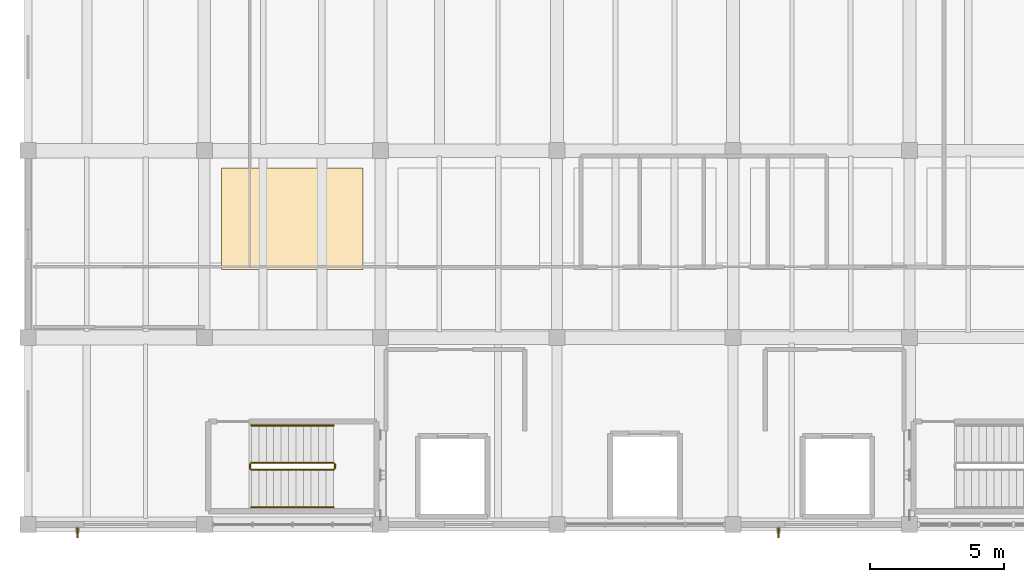
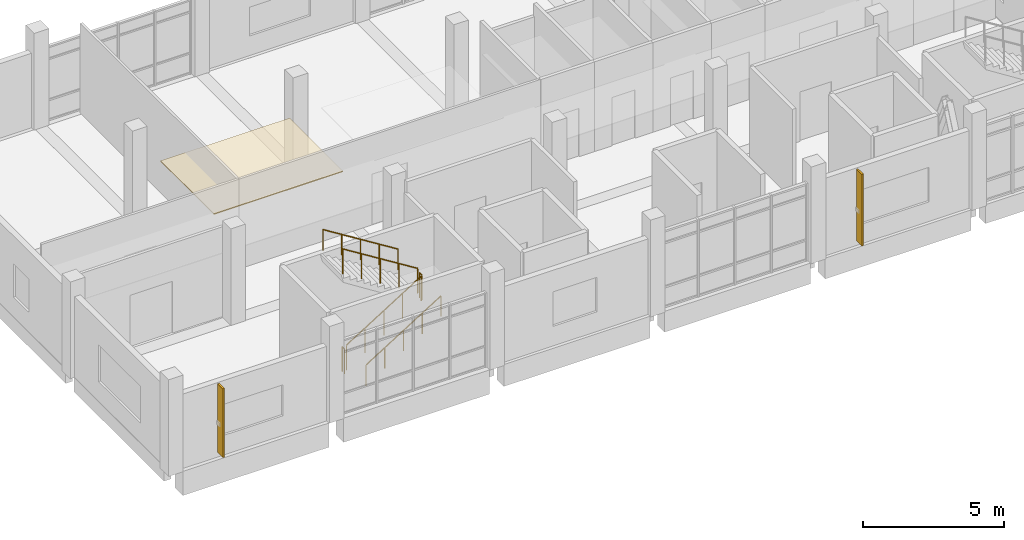
# One storey, part 12 of 14: 6 railings, 2 shading devices, 1 covering.
"""IFC4 building model written with IfcOpenShell, lengths in metres."""

import ifcopenshell
import ifcopenshell.guid

model = None  # the IFC model being written
_history = None  # IfcOwnerHistory: only IFC2X3 demands one
_inside = {}  # id of a spatial element -> (the spatial element, [elements in it])
_under = {}  # id of a project, library or spatial element -> (it, [spatial elements below it])
_declared = {}  # id of a project -> (the project, [libraries it declares])
_typed = {}  # id of a type object -> (the type object, [elements of that type])
_made_of = {}  # id of a material, layer set ... -> (it, [elements and type objects made of it])


def new_model(schema):
    """Start an empty IFC model of exactly this schema.

    Asked for "IFC4X3", IfcOpenShell would pick the latest addendum, in which some entities
    have other attributes; the version numbers below select the first issue.
    IFC2X3 requires an IfcOwnerHistory on every rooted entity: one is made here for all.
    """
    global model, _history
    if schema == "IFC4X3":
        model = ifcopenshell.file(schema_version=(4, 3, 0, 0))
    else:
        model = ifcopenshell.file(schema=schema)
    _inside.clear()
    _under.clear()
    _declared.clear()
    _typed.clear()
    _made_of.clear()
    _history = None
    if model.schema == "IFC2X3":
        org = make("IfcOrganization", Name="unknown")
        user = make(
            "IfcPersonAndOrganization",
            ThePerson=make("IfcPerson", FamilyName="unknown"),
            TheOrganization=org,
        )
        app = make(
            "IfcApplication",
            ApplicationDeveloper=org,
            Version="unknown",
            ApplicationFullName="unknown",
            ApplicationIdentifier="unknown",
        )
        _history = make(
            "IfcOwnerHistory",
            OwningUser=user,
            OwningApplication=app,
            ChangeAction="ADDED",
            CreationDate=0,
        )
    return model


def make(cls, **values):
    """One entity of the class cls with the attributes given. An attribute that is None is left unset."""
    return model.create_entity(
        cls, **{name: value for name, value in values.items() if value is not None}
    )


def rooted(cls, **values):
    """An entity with a GlobalId (a new one), such as an element, a storey or a relation."""
    return make(cls, GlobalId=ifcopenshell.guid.new(), OwnerHistory=_history, **values)


def si_unit(unit_type, name, prefix=None):
    """IfcSIUnit, for example si_unit("LENGTHUNIT", "METRE", prefix="MILLI")."""
    return make("IfcSIUnit", UnitType=unit_type, Prefix=prefix, Name=name)


def assignment(units):
    """IfcUnitAssignment: the units of a project."""
    return None if units is None else make("IfcUnitAssignment", Units=units)


def point(xyz):
    """IfcCartesianPoint."""
    return None if xyz is None else make("IfcCartesianPoint", Coordinates=xyz)


def direction(xyz):
    """IfcDirection."""
    return None if xyz is None else make("IfcDirection", DirectionRatios=xyz)


def frame(location, z_axis=None, x_axis=None):
    """IfcAxis2Placement3D, a coordinate frame: its origin and axes. An axis left out is left unset."""
    return make(
        "IfcAxis2Placement3D",
        Location=point(location),
        Axis=direction(z_axis),
        RefDirection=direction(x_axis),
    )


def frame_2d(location, x_axis=None):
    """IfcAxis2Placement2D, a coordinate frame in the plane: its origin and x axis."""
    return make(
        "IfcAxis2Placement2D", Location=point(location), RefDirection=direction(x_axis)
    )


def origin():
    """The frame at (0, 0, 0) with its axes left unset."""
    return frame((0.0, 0.0, 0.0))


def origin_2d():
    """The frame at (0, 0) in the plane with its x axis left unset."""
    return frame_2d((0.0, 0.0))


def place(relative_to, where):
    """IfcLocalPlacement: puts the frame where relative to a parent placement (None: the world)."""
    return make(
        "IfcLocalPlacement", PlacementRelTo=relative_to, RelativePlacement=where
    )


def context(
    kind, dimensions, precision=None, world=None, true_north=None, identifier=None
):
    """IfcGeometricRepresentationContext, for example the 3D "Model" context."""
    return make(
        "IfcGeometricRepresentationContext",
        ContextIdentifier=identifier,
        ContextType=kind,
        CoordinateSpaceDimension=dimensions,
        Precision=precision,
        WorldCoordinateSystem=world,
        TrueNorth=true_north,
    )


def subcontext(parent, identifier, kind, view, scale=None):
    """IfcGeometricRepresentationSubContext, for example "Body" below "Model"."""
    return make(
        "IfcGeometricRepresentationSubContext",
        ContextIdentifier=identifier,
        ContextType=kind,
        ParentContext=parent,
        TargetScale=scale,
        TargetView=view,
    )


def project(units=None, contexts=None):
    """IfcProject with its units and contexts."""
    return rooted(
        "IfcProject",
        Name="project",
        RepresentationContexts=contexts,
        UnitsInContext=assignment(units),
    )


def spatial(cls, under=None, at=None, **own):
    """A site, building, storey or space (cls), placed at a placement, below another one or the project."""
    s = rooted(cls, ObjectPlacement=at, **own)
    if under is not None:
        _under.setdefault(under.id(), (under, []))[1].append(s)
    return s


def polyline(points):
    """IfcPolyline through the points."""
    return make("IfcPolyline", Points=[point(p) for p in points])


def profile(cls, at=None, kind="AREA", **sizes):
    """A parametric profile (cls). Its sizes go by their IFC names, for example OverallWidth=200.0."""
    return make(cls, ProfileType=kind, Position=at, **sizes)


def rectangle(**sizes):
    """IfcRectangleProfileDef."""
    return profile("IfcRectangleProfileDef", **sizes)


def circle(**sizes):
    """IfcCircleProfileDef."""
    return profile("IfcCircleProfileDef", **sizes)


def outline(outer, holes=None, kind="AREA"):
    """IfcArbitraryClosedProfileDef: a profile drawn as a closed curve; with holes, ...WithVoids."""
    if holes is None:
        return make("IfcArbitraryClosedProfileDef", ProfileType=kind, OuterCurve=outer)
    return make(
        "IfcArbitraryProfileDefWithVoids",
        ProfileType=kind,
        OuterCurve=outer,
        InnerCurves=holes,
    )


def extrude(swept, where, along, depth):
    """IfcExtrudedAreaSolid: the profile swept, set in the frame where, extruded along a direction by depth."""
    return make(
        "IfcExtrudedAreaSolid",
        SweptArea=swept,
        Position=where,
        ExtrudedDirection=direction(along),
        Depth=depth,
    )


def shape(context_of_items, identifier, shape_type, items):
    """IfcShapeRepresentation: the items that make up one representation, for example the "Body"."""
    return make(
        "IfcShapeRepresentation",
        ContextOfItems=context_of_items,
        RepresentationIdentifier=identifier,
        RepresentationType=shape_type,
        Items=items,
    )


def material(Name=None, Category=None):
    """IfcMaterial."""
    return make("IfcMaterial", Name=Name, Category=Category)


def layer(
    of_material, thickness, ventilated=None, Name=None, Category=None, Priority=None
):
    """IfcMaterialLayer: one layer of a wall or slab, of a material (None: an air gap)."""
    return make(
        "IfcMaterialLayer",
        Material=of_material,
        LayerThickness=thickness,
        IsVentilated=ventilated,
        Name=Name,
        Category=Category,
        Priority=Priority,
    )


def layer_set(layers, Name=None):
    """IfcMaterialLayerSet."""
    return make("IfcMaterialLayerSet", MaterialLayers=layers, LayerSetName=Name)


def material_profile(
    of_material, cross_section, Name=None, Category=None, Priority=None
):
    """IfcMaterialProfile: a cross section and its material."""
    return make(
        "IfcMaterialProfile",
        Name=Name,
        Material=of_material,
        Profile=cross_section,
        Priority=Priority,
        Category=Category,
    )


def profile_set(profiles, Name=None, composite=None):
    """IfcMaterialProfileSet."""
    return make(
        "IfcMaterialProfileSet",
        Name=Name,
        MaterialProfiles=profiles,
        CompositeProfile=composite,
    )


def made_of(thing, what):
    """Note that an element or type object is made of a material, layer set ...; save() writes the relation."""
    if what is not None:
        _made_of.setdefault(what.id(), (what, []))[1].append(thing)
    return thing


def type_object(cls, material=None, **own):
    """A type object (cls), such as IfcWallType, which elements share."""
    return made_of(rooted(cls, **own), material)


def element(
    cls,
    number,
    at=None,
    inside=None,
    cuts=None,
    type_object=None,
    material=None,
    context=None,
    identifier="Body",
    shape_type=None,
    held_by="IfcProductDefinitionShape",
    body=None,
    shapes=None,
    **own,
):
    """One element of the class cls, such as IfcWall. Its Tag is "e" and its number.

    at: its placement. inside: the storey or other place that contains it. cuts: it is an
    opening in that element (IfcRelVoidsElement). A single representation is given by context,
    identifier, shape_type and body (its items); several are given by shapes. held_by: the class
    of the entity that holds the representations. save() writes the other relations.
    """
    e = rooted(cls, Tag="e%d" % number, ObjectPlacement=at, **own)
    if body is not None:
        shapes = [shape(context, identifier, shape_type, body)]
    if shapes is not None:
        e.Representation = make(held_by, Representations=shapes)
    if inside is not None:
        _inside.setdefault(inside.id(), (inside, []))[1].append(e)
    if cuts is not None:
        rooted(
            "IfcRelVoidsElement", RelatingBuildingElement=cuts, RelatedOpeningElement=e
        )
    if type_object is not None:
        _typed.setdefault(type_object.id(), (type_object, []))[1].append(e)
    return made_of(e, material)


def aggregate(whole, parts):
    """IfcRelAggregates: a whole, such as a stair, and the parts it consists of."""
    return rooted("IfcRelAggregates", RelatingObject=whole, RelatedObjects=parts)


def save(model, path):
    """Write the relations noted so far, then the file.

    IfcRelAggregates (storeys below a building ...), IfcRelContainedInSpatialStructure (elements
    in a storey), IfcRelDefinesByType, IfcRelAssociatesMaterial and IfcRelDeclares: one each for
    every whole, place, type object, material and project.
    """
    for whole, parts in _under.values():
        aggregate(whole, parts)
    for where, things in _inside.values():
        rooted(
            "IfcRelContainedInSpatialStructure",
            RelatedElements=things,
            RelatingStructure=where,
        )
    for kind, things in _typed.values():
        rooted("IfcRelDefinesByType", RelatedObjects=things, RelatingType=kind)
    for what, things in _made_of.values():
        rooted("IfcRelAssociatesMaterial", RelatedObjects=things, RelatingMaterial=what)
    for by, libraries in _declared.values():
        rooted("IfcRelDeclares", RelatingContext=by, RelatedDefinitions=libraries)
    model.write(path)


model = new_model("IFC4")

# Units and contexts
model_context = context("Model", 3, precision=1e-05, world=origin(), true_north=direction((0.0, 1.0)))
body_context = subcontext(model_context, "Body", "Model", "MODEL_VIEW")
ifc_project = project(units=[si_unit("LENGTHUNIT", "METRE"), si_unit("AREAUNIT", "SQUARE_METRE"), si_unit("VOLUMEUNIT", "CUBIC_METRE"), si_unit("PLANEANGLEUNIT", "RADIAN"), si_unit("MASSUNIT", "GRAM", prefix="KILO")], contexts=[model_context])

# Site, building, storey
site_placement = place(None, origin())
site = spatial("IfcSite", under=ifc_project, at=site_placement, CompositionType="ELEMENT")
building_placement = place(site_placement, origin())
building = spatial("IfcBuilding", under=site, at=building_placement, Name="Ciguamira Faculty of Natural Sciences", CompositionType="ELEMENT")
storey_placement = place(building_placement, frame((0.0, 0.0, 33.60009765625)))
storey = spatial("IfcBuildingStorey", under=building, at=storey_placement, Name="L08", CompositionType="ELEMENT", Elevation=33.60009765625)

# Covering
ifc_material_1 = material(Name="Perforated white acoustic ceiling")
ifc_layer = layer(ifc_material_1, 0.0400390625, Name="Perforated white acoustic ceiling")
ifc_layer_set = layer_set([ifc_layer], Name="Perforated white acoustic ceiling")
covering_type = type_object("IfcCoveringType", Name="AcousticCeiling_AC01", PredefinedType="CEILING", material=ifc_layer_set)
covering_placement = place(storey_placement, frame((0.0, 0.0, 2.760009765625)))
element("IfcCovering", 1, at=covering_placement, inside=storey, type_object=covering_type, Name="L08 research bay 01 acoustic ceiling", PredefinedType="CEILING", context=body_context, shape_type="SweptSolid", body=[
    extrude(outline(polyline([(71.14990234375, 103.550048828125), (76.449951171875, 103.550048828125), (76.449951171875, 107.35009765625), (71.14990234375, 107.35009765625), (71.14990234375, 103.550048828125)])), origin(), (0.0, 0.0, 1.0), 0.039794921875),
])

# Railings
ifc_material_2 = material(Name="Stainless steel balustrade", Category="steel")
railing_type_1 = type_object("IfcRailingType", Name="Guardrail_GR01", PredefinedType="GUARDRAIL", material=ifc_material_2)
railing_1_placement = place(storey_placement, frame((72.260009765625, 96.050048828125, 0.1748046875)))
element("IfcRailing", 2, at=railing_1_placement, inside=storey, type_object=railing_type_1, Name="L08 ST-T1 stair guard 1", PredefinedType="GUARDRAIL", context=body_context, shape_type="SweptSolid", body=[
    extrude(circle(Radius=0.02392578125, at=origin_2d()), frame((0.0, 0.0, 1.076171875), z_axis=(0.847998304005, 0.0, 0.529998940003), x_axis=(0.0, 1.0, 0.0)), (0.0, 0.0, 1.0), 3.632080078125),
    extrude(circle(Radius=0.02099609375, at=origin_2d()), origin(), (0.0, 0.0, 1.0), 1.052001953125),
    extrude(circle(Radius=0.02099609375, at=origin_2d()), frame((0.77001953125, 0.0, 0.481201171875)), (0.0, 0.0, 1.0), 1.052001953125),
    extrude(circle(Radius=0.02099609375, at=origin_2d()), frame((1.5400390625, 0.0, 0.96240234375)), (0.0, 0.0, 1.0), 1.052001953125),
    extrude(circle(Radius=0.02099609375, at=origin_2d()), frame((2.31005859375, 0.0, 1.44384765625)), (0.0, 0.0, 1.0), 1.052001953125),
    extrude(circle(Radius=0.02099609375, at=origin_2d()), frame((3.080078125, 0.0, 1.925048828125)), (0.0, 0.0, 1.0), 1.052001953125),
])
railing_2_placement = place(storey_placement, frame((75.389892578125, 96.10009765625, 2.099853515625)))
element("IfcRailing", 3, at=railing_2_placement, inside=storey, type_object=railing_type_1, Name="L08 ST-T1 stair guard 2", PredefinedType="GUARDRAIL", context=body_context, shape_type="SweptSolid", body=[
    extrude(circle(Radius=0.02392578125, at=origin_2d()), frame((0.0, 0.0, 1.076171875), z_axis=(0.0, 1.0, 0.0), x_axis=(-1.0, 0.0, 0.0)), (0.0, 0.0, 1.0), 0.159912109375),
    extrude(circle(Radius=0.02099609375, at=origin_2d()), origin(), (0.0, 0.0, 1.0), 1.052001953125),
    extrude(circle(Radius=0.02099609375, at=origin_2d()), frame((0.0, 0.159912109375, 0.0)), (0.0, 0.0, 1.0), 1.052001953125),
])
railing_3_placement = place(storey_placement, frame((75.340087890625, 96.31005859375, 2.27490234375)))
element("IfcRailing", 4, at=railing_3_placement, inside=storey, type_object=railing_type_1, Name="L08 ST-T1 stair guard 3", PredefinedType="GUARDRAIL", context=body_context, shape_type="SweptSolid", body=[
    extrude(circle(Radius=0.02392578125, at=origin_2d()), frame((0.0, 0.0, 1.076171875), z_axis=(-0.847998304005, 0.0, 0.529998940003), x_axis=(0.0, -1.0, 0.0)), (0.0, 0.0, 1.0), 3.632080078125),
    extrude(circle(Radius=0.02099609375, at=origin_2d()), origin(), (0.0, 0.0, 1.0), 1.052001953125),
    extrude(circle(Radius=0.02099609375, at=origin_2d()), frame((-0.77001953125, 0.0, 0.481201171875)), (0.0, 0.0, 1.0), 1.052001953125),
    extrude(circle(Radius=0.02099609375, at=origin_2d()), frame((-1.5400390625, 0.0, 0.96240234375)), (0.0, 0.0, 1.0), 1.052001953125),
    extrude(circle(Radius=0.02099609375, at=origin_2d()), frame((-2.31005859375, 0.0, 1.44384765625)), (0.0, 0.0, 1.0), 1.052001953125),
    extrude(circle(Radius=0.02099609375, at=origin_2d()), frame((-3.080078125, 0.0, 1.925048828125)), (0.0, 0.0, 1.0), 1.052001953125),
])
railing_4_placement = place(storey_placement, frame((72.2099609375, 96.10009765625, 0.0)))
element("IfcRailing", 5, at=railing_4_placement, inside=storey, type_object=railing_type_1, Name="L08 ST-T1 stair guard 4", PredefinedType="GUARDRAIL", context=body_context, shape_type="SweptSolid", body=[
    extrude(circle(Radius=0.02392578125, at=origin_2d()), frame((0.0, 0.0, 1.076171875), z_axis=(0.0, 1.0, 0.0), x_axis=(-1.0, 0.0, 0.0)), (0.0, 0.0, 1.0), 0.159912109375),
    extrude(circle(Radius=0.02099609375, at=origin_2d()), origin(), (0.0, 0.0, 1.0), 1.052001953125),
    extrude(circle(Radius=0.02099609375, at=origin_2d()), frame((0.0, 0.159912109375, 0.0)), (0.0, 0.0, 1.0), 1.052001953125),
])
ifc_material_3 = material(Name="Stainless steel handrail", Category="steel")
railing_type_2 = type_object("IfcRailingType", Name="Handrail_HR01", PredefinedType="HANDRAIL", material=ifc_material_3)
railing_5_placement = place(storey_placement, frame((72.260009765625, 94.64990234375, 0.349853515625)))
element("IfcRailing", 6, at=railing_5_placement, inside=storey, type_object=railing_type_2, Name="L08 ST-T1 stair handrail 1", PredefinedType="HANDRAIL", context=body_context, shape_type="SweptSolid", body=[
    extrude(circle(Radius=0.02392578125, at=origin_2d()), frame((0.0, 0.0, 0.89111328125), z_axis=(0.847998304005, 0.0, 0.529998940003), x_axis=(0.0, 1.0, 0.0)), (0.0, 0.0, 1.0), 3.632080078125),
    extrude(circle(Radius=0.02099609375, at=origin_2d()), origin(), (0.0, 0.0, 1.0), 0.866943359375),
    extrude(circle(Radius=0.02099609375, at=origin_2d()), frame((0.77001953125, 0.0, 0.481201171875)), (0.0, 0.0, 1.0), 0.866943359375),
    extrude(circle(Radius=0.02099609375, at=origin_2d()), frame((1.5400390625, 0.0, 0.96240234375)), (0.0, 0.0, 1.0), 0.866943359375),
    extrude(circle(Radius=0.02099609375, at=origin_2d()), frame((2.31005859375, 0.0, 1.44384765625)), (0.0, 0.0, 1.0), 0.866943359375),
    extrude(circle(Radius=0.02099609375, at=origin_2d()), frame((3.080078125, 0.0, 1.925048828125)), (0.0, 0.0, 1.0), 0.866943359375),
])
railing_6_placement = place(storey_placement, frame((75.340087890625, 97.7099609375, 2.449951171875)))
element("IfcRailing", 7, at=railing_6_placement, inside=storey, type_object=railing_type_2, Name="L08 ST-T1 stair handrail 2", PredefinedType="HANDRAIL", context=body_context, shape_type="SweptSolid", body=[
    extrude(circle(Radius=0.02392578125, at=origin_2d()), frame((0.0, 0.0, 0.89111328125), z_axis=(-0.847998304005, 0.0, 0.529998940003), x_axis=(0.0, -1.0, 0.0)), (0.0, 0.0, 1.0), 3.632080078125),
    extrude(circle(Radius=0.02099609375, at=origin_2d()), origin(), (0.0, 0.0, 1.0), 0.866943359375),
    extrude(circle(Radius=0.02099609375, at=origin_2d()), frame((-0.77001953125, 0.0, 0.481201171875)), (0.0, 0.0, 1.0), 0.866943359375),
    extrude(circle(Radius=0.02099609375, at=origin_2d()), frame((-1.5400390625, 0.0, 0.96240234375)), (0.0, 0.0, 1.0), 0.866943359375),
    extrude(circle(Radius=0.02099609375, at=origin_2d()), frame((-2.31005859375, 0.0, 1.44384765625)), (0.0, 0.0, 1.0), 0.866943359375),
    extrude(circle(Radius=0.02099609375, at=origin_2d()), frame((-3.080078125, 0.0, 1.925048828125)), (0.0, 0.0, 1.0), 0.866943359375),
])

# Shading devices
ifc_material_4 = material(Name="Anodized bronze sunshade fin")
ifc_material_profile = material_profile(ifc_material_4, rectangle(XDim=0.06494140625, YDim=0.3798828125, at=origin_2d()), Name="BRZ-FIN-65X380")
ifc_profile_set = profile_set([ifc_material_profile], Name="Anodized bronze sunshade fin")
shading_device_type = type_object("IfcShadingDeviceType", Name="SunFin_SF01", PredefinedType="USERDEFINED", material=ifc_profile_set)
shading_device_1_placement = place(storey_placement, frame((65.75, 93.68994140625, 0.199951171875), z_axis=(0.0, 0.0, 1.0), x_axis=(1.0, 0.0, 0.0)))
element("IfcShadingDevice", 8, at=shading_device_1_placement, inside=storey, type_object=shading_device_type, Name="L08 bronze vertical sunshade fin 0035", ObjectType="SUNSHADE FIN", PredefinedType="USERDEFINED", context=body_context, shape_type="SweptSolid", body=[
    extrude(rectangle(XDim=0.06494140625, YDim=0.3798828125, at=origin_2d()), origin(), (0.0, 0.0, 1.0), 2.98486328125),
])
shading_device_2_placement = place(storey_placement, frame((92.0, 93.68994140625, 0.199951171875), z_axis=(0.0, 0.0, 1.0), x_axis=(1.0, 0.0, 0.0)))
element("IfcShadingDevice", 9, at=shading_device_2_placement, inside=storey, type_object=shading_device_type, Name="L08 bronze vertical sunshade fin 0036", ObjectType="SUNSHADE FIN", PredefinedType="USERDEFINED", context=body_context, shape_type="SweptSolid", body=[
    extrude(rectangle(XDim=0.06494140625, YDim=0.3798828125, at=origin_2d()), origin(), (0.0, 0.0, 1.0), 3.114990234375),
])

save(model, "model.ifc")
